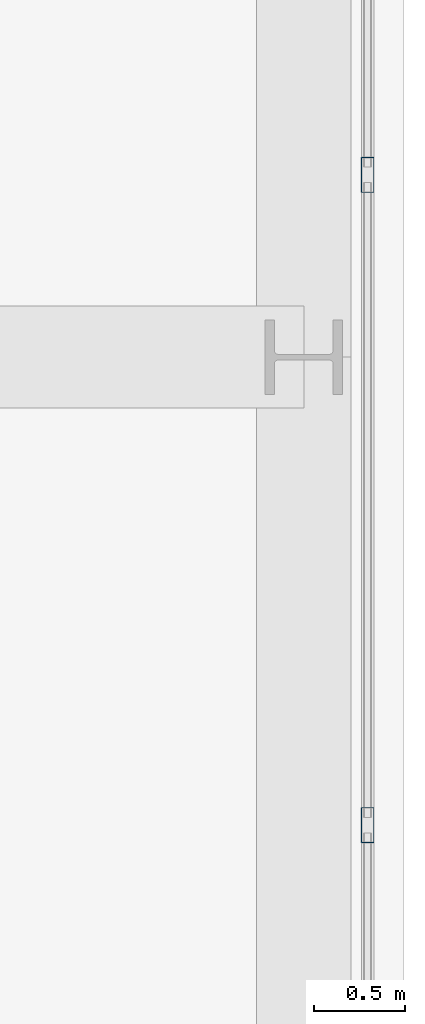
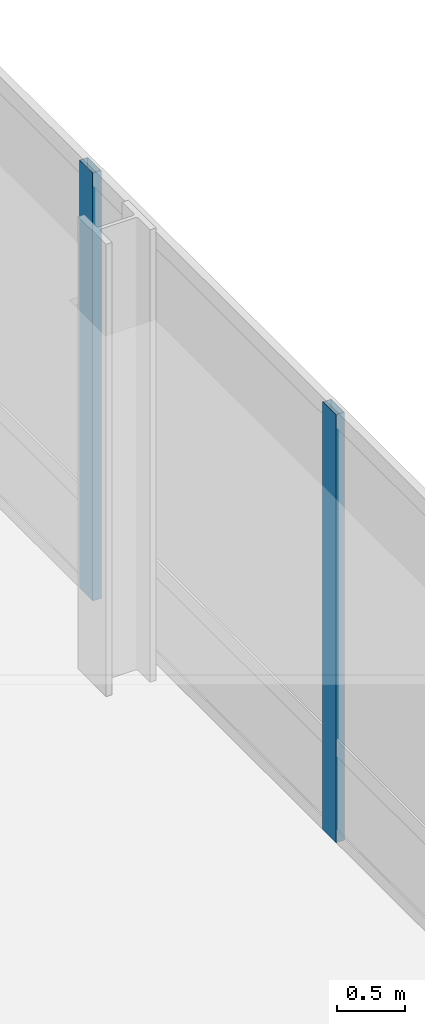
# One storey, part 17 of 35: 2 members, 1 element without a shape of its own.
"""IFC4 building model written with IfcOpenShell, lengths in metres."""

from ifc_helpers import new_model, si_unit, direction, frame, origin, origin_2d, place, context, subcontext, project, spatial, hollow_rectangle, extrude, material, material_profile, profile_set, type_object, element, aggregate, save


model = new_model("IFC4")

# Units and contexts
model_context = context("Model", 3, precision=1e-05, world=origin(), true_north=direction((0.0, 1.0)))
body_context = subcontext(model_context, "Body", "Model", "MODEL_VIEW")
ifc_project = project(units=[si_unit("LENGTHUNIT", "METRE"), si_unit("AREAUNIT", "SQUARE_METRE"), si_unit("VOLUMEUNIT", "CUBIC_METRE"), si_unit("PLANEANGLEUNIT", "RADIAN"), si_unit("MASSUNIT", "GRAM", prefix="KILO")], contexts=[model_context])

# Site, building, storey
site_placement = place(None, origin())
site = spatial("IfcSite", under=ifc_project, at=site_placement, CompositionType="ELEMENT")
building_placement = place(site_placement, origin())
building = spatial("IfcBuilding", under=site, at=building_placement, Name="Punatoya Terracotta Tower", CompositionType="ELEMENT")
storey_placement = place(building_placement, frame((0.0, 0.0, 216.75)))
storey = spatial("IfcBuildingStorey", under=building, at=storey_placement, Name="L51", CompositionType="ELEMENT", Elevation=216.75)

# Curtain wall, members
ifc_material_1 = material(Name="Aluminium 6063-T6 + Double Low-E Glass", Category="aluminium")
curtain_wall_type = type_object("IfcCurtainWallType", Name="CW-M2", PredefinedType="NOTDEFINED", material=ifc_material_1)
curtain_wall_placement = place(storey_placement, origin())
curtain_wall = element("IfcCurtainWall", 1, at=curtain_wall_placement, inside=storey, type_object=curtain_wall_type, Name="L51 Curtain Wall CW-L51-E05-1", PredefinedType="NOTDEFINED")
ifc_material_2 = material(Name="Aluminium 6063-T6", Category="aluminium")
ifc_material_profile = material_profile(ifc_material_2, hollow_rectangle(XDim=0.072021484375, YDim=0.195068359375, WallThickness=0.00439453125, at=origin_2d()))
ifc_profile_set = profile_set([ifc_material_profile], Name="Aluminium 6063-T6")
member_type = type_object("IfcMemberType", Name="CW-MUL-M2", PredefinedType="MULLION", material=ifc_profile_set)
member_1_placement = place(storey_placement, frame((24.85009765625, -5.96728515625, 0.0), z_axis=(0.0, 0.0, 1.0), x_axis=(1.0, 0.0, 0.0)))
member_1 = element("IfcMember", 2, at=member_1_placement, type_object=member_type, Name="CW-L51-E05-1 Mullion 04", PredefinedType="MULLION", context=body_context, shape_type="SweptSolid", body=[
    extrude(hollow_rectangle(XDim=0.072021484375, YDim=0.195068359375, WallThickness=0.00439453125, at=origin_2d()), origin(), (0.0, 0.0, 1.0), 3.830078125),
])
member_2_placement = place(storey_placement, frame((24.85009765625, -2.39990234375, 0.0), z_axis=(0.0, 0.0, 1.0), x_axis=(1.0, 0.0, 0.0)))
member_2 = element("IfcMember", 3, at=member_2_placement, type_object=member_type, Name="CW-L51-E05-1 Mullion 05", PredefinedType="MULLION", context=body_context, shape_type="SweptSolid", body=[
    extrude(hollow_rectangle(XDim=0.072021484375, YDim=0.195068359375, WallThickness=0.00439453125, at=origin_2d()), origin(), (0.0, 0.0, 1.0), 3.830078125),
])
aggregate(curtain_wall, [member_1, member_2])

save(model, "model.ifc")
